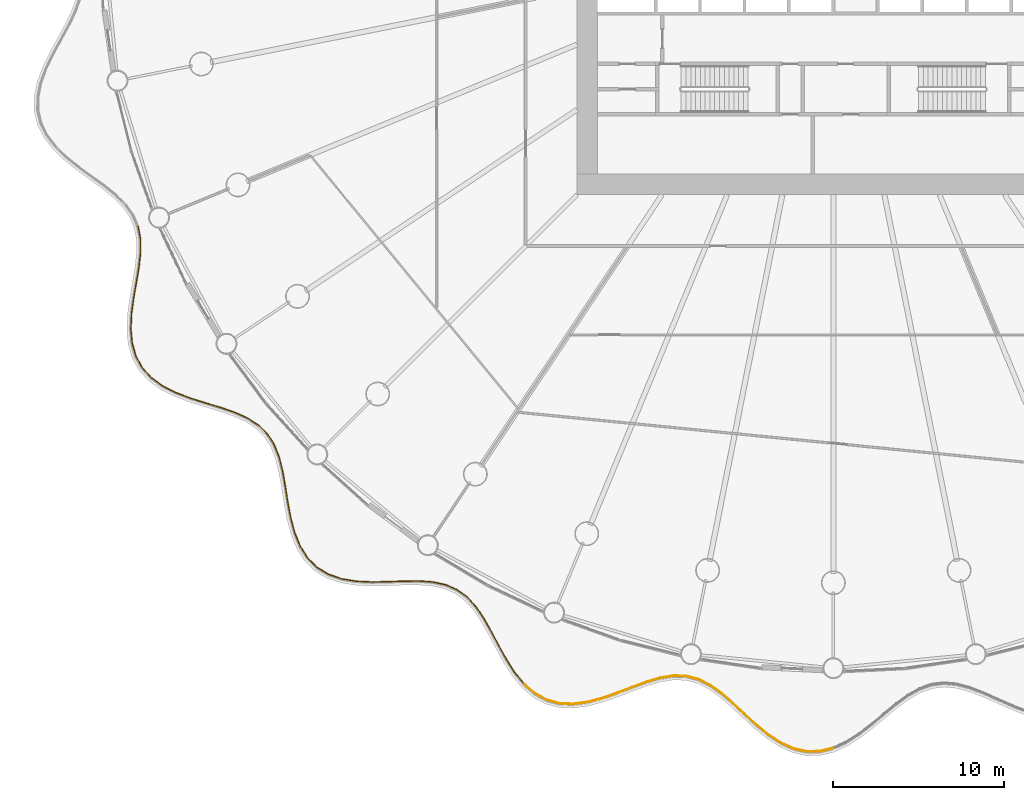
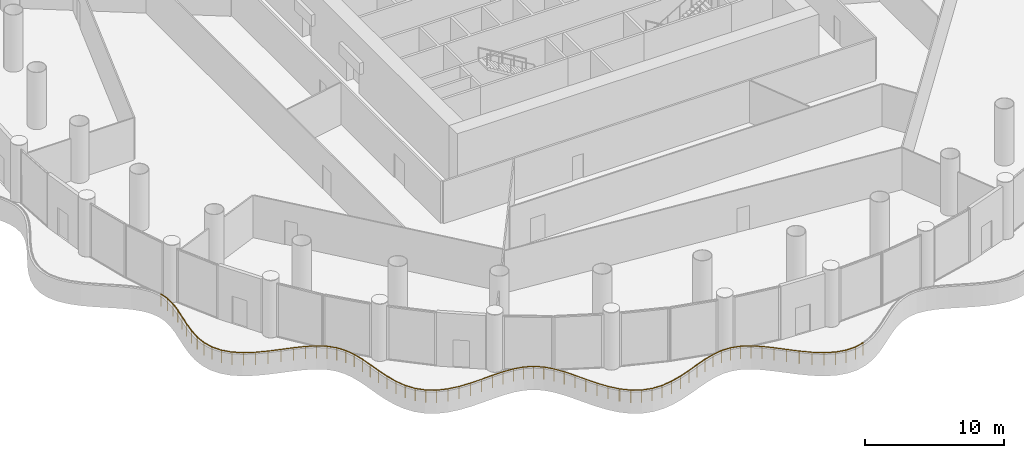
# One storey, part 31 of 38: 3 railings.
"""IFC4 building model written with IfcOpenShell, lengths in metres."""

from ifc_helpers import new_model, si_unit, direction, frame, origin, origin_2d, place, context, subcontext, project, spatial, circle, extrude, material, type_object, element, save


model = new_model("IFC4")

# Units and contexts
model_context = context("Model", 3, precision=1e-05, world=origin(), true_north=direction((0.0, 1.0)))
body_context = subcontext(model_context, "Body", "Model", "MODEL_VIEW")
ifc_project = project(units=[si_unit("LENGTHUNIT", "METRE"), si_unit("AREAUNIT", "SQUARE_METRE"), si_unit("VOLUMEUNIT", "CUBIC_METRE"), si_unit("PLANEANGLEUNIT", "RADIAN"), si_unit("MASSUNIT", "GRAM", prefix="KILO")], contexts=[model_context])

# Site, building, storey
site_placement = place(None, origin())
site = spatial("IfcSite", under=ifc_project, at=site_placement, CompositionType="ELEMENT")
building_placement = place(site_placement, origin())
building = spatial("IfcBuilding", under=site, at=building_placement, Name="Corvane Civic Tower", CompositionType="ELEMENT")
storey_placement = place(building_placement, frame((0.0, 0.0, 32.0)))
storey = spatial("IfcBuildingStorey", under=building, at=storey_placement, Name="L06", CompositionType="ELEMENT", Elevation=32.0)

# Railings
ifc_material = material(Name="Steel ASTM A572 Gr 50", Category="steel")
railing_type = type_object("IfcRailingType", Name="PODIUM-RL-GUARD-1100", PredefinedType="GUARDRAIL", material=ifc_material)
railing_1_placement = place(storey_placement, frame((-40.66943359375, -16.87255859375, 0.0)))
element("IfcRailing", 1, at=railing_1_placement, inside=storey, type_object=railing_type, Name="L06 ribbon guard 6", PredefinedType="GUARDRAIL", context=body_context, shape_type="SweptSolid", body=[
    extrude(circle(Radius=0.02392578125, at=origin_2d()), frame((0.0, 0.0, 1.076171875), z_axis=(0.184784369024, -0.982779088587, 0.0), x_axis=(0.982779088587, 0.184784369024, 0.0)), (0.0, 0.0, 1.0), 0.71337890625),
    extrude(circle(Radius=0.02392578125, at=origin_2d()), frame((0.1318359375, -0.701171875, 1.076171875), z_axis=(0.009576329479, -0.999954145906, 0.0), x_axis=(0.999954145906, 0.009576329479, 0.0)), (0.0, 0.0, 1.0), 0.790283203125),
    extrude(circle(Radius=0.02392578125, at=origin_2d()), frame((0.139404296875, -1.491455078125, 1.076171875), z_axis=(-0.107007929362, -0.994258167205, 0.0), x_axis=(0.994258167205, -0.107007929362, 0.0)), (0.0, 0.0, 1.0), 0.853271484375),
    extrude(circle(Radius=0.02392578125, at=origin_2d()), frame((0.048095703125, -2.33984375, 1.076171875), z_axis=(-0.164923362683, -0.98630638467, 0.0), x_axis=(0.98630638467, -0.164923362683, 0.0)), (0.0, 0.0, 1.0), 0.906005859375),
    extrude(circle(Radius=0.02392578125, at=origin_2d()), frame((-0.101318359375, -3.2333984375, 1.076171875), z_axis=(-0.17250097261, -0.985009347392, 0.0), x_axis=(0.985009347392, -0.17250097261, 0.0)), (0.0, 0.0, 1.0), 0.9326171875),
    extrude(circle(Radius=0.02392578125, at=origin_2d()), frame((-0.26220703125, -4.152099609375, 1.076171875), z_axis=(-0.133834148505, -0.991003744036, 0.0), x_axis=(0.991003744036, -0.133834148505, 0.0)), (0.0, 0.0, 1.0), 0.928466796875),
    extrude(circle(Radius=0.02392578125, at=origin_2d()), frame((-0.386474609375, -5.072265625, 1.076171875), z_axis=(-0.047668682951, -0.998863202178, 0.0), x_axis=(0.998863202178, -0.047668682951, 0.0)), (0.0, 0.0, 1.0), 0.896240234375),
    extrude(circle(Radius=0.02392578125, at=origin_2d()), frame((-0.42919921875, -5.967529296875, 1.076171875), z_axis=(0.089574843607, -0.995980093874, 0.0), x_axis=(0.995980093874, 0.089574843607, 0.0)), (0.0, 0.0, 1.0), 0.84765625),
    extrude(circle(Radius=0.02392578125, at=origin_2d()), frame((-0.353271484375, -6.811767578125, 1.076171875), z_axis=(0.275404329988, -0.961328484455, 0.0), x_axis=(0.961328484455, 0.275404329988, 0.0)), (0.0, 0.0, 1.0), 0.80224609375),
    extrude(circle(Radius=0.02392578125, at=origin_2d()), frame((-0.13232421875, -7.5830078125, 1.076171875), z_axis=(0.485882298795, -0.874024251218, 0.0), x_axis=(0.874024251218, 0.485882298795, 0.0)), (0.0, 0.0, 1.0), 0.779296875),
    extrude(circle(Radius=0.02392578125, at=origin_2d()), frame((0.246337890625, -8.26416015625, 1.076171875), z_axis=(0.676018384359, -0.73688475626, 0.0), x_axis=(0.73688475626, 0.676018384359, 0.0)), (0.0, 0.0, 1.0), 0.790283203125),
    extrude(circle(Radius=0.02392578125, at=origin_2d()), frame((0.780517578125, -8.846435546875, 1.076171875), z_axis=(0.812498858808, -0.582962781347, 0.0), x_axis=(0.582962781347, 0.812498858808, 0.0)), (0.0, 0.0, 1.0), 0.82958984375),
    extrude(circle(Radius=0.02392578125, at=origin_2d()), frame((1.45458984375, -9.330078125, 1.076171875), z_axis=(0.893704177194, -0.448656710266, 0.0), x_axis=(0.448656710266, 0.893704177194, 0.0)), (0.0, 0.0, 1.0), 0.87939453125),
    extrude(circle(Radius=0.02392578125, at=origin_2d()), frame((2.240478515625, -9.724609375, 1.076171875), z_axis=(0.93572746823, -0.352723837017, 0.0), x_axis=(0.352723837017, 0.93572746823, 0.0)), (0.0, 0.0, 1.0), 0.919189453125),
    extrude(circle(Radius=0.02392578125, at=origin_2d()), frame((3.1005859375, -10.048828125, 1.076171875), z_axis=(0.954098219534, -0.299493885551, 0.0), x_axis=(0.299493885551, 0.954098219534, 0.0)), (0.0, 0.0, 1.0), 0.93505859375),
    extrude(circle(Radius=0.02392578125, at=origin_2d()), frame((3.99267578125, -10.328857421875, 1.076171875), z_axis=(0.957010999793, -0.290051626915, 0.0), x_axis=(0.290051626915, 0.957010999793, 0.0)), (0.0, 0.0, 1.0), 0.919189453125),
    extrude(circle(Radius=0.02392578125, at=origin_2d()), frame((4.872314453125, -10.595458984375, 1.076171875), z_axis=(0.944936308827, -0.32725429296, 0.0), x_axis=(0.32725429296, 0.944936308827, 0.0)), (0.0, 0.0, 1.0), 0.875),
    extrude(circle(Radius=0.02392578125, at=origin_2d()), frame((5.69921875, -10.8818359375, 1.076171875), z_axis=(0.909934316687, -0.414752383134, 0.0), x_axis=(0.414752383134, 0.909934316687, 0.0)), (0.0, 0.0, 1.0), 0.8134765625),
    extrude(circle(Radius=0.02392578125, at=origin_2d()), frame((6.439453125, -11.21923828125, 1.076171875), z_axis=(0.834826447592, -0.550513217281, 0.0), x_axis=(0.550513217281, 0.834826447592, 0.0)), (0.0, 0.0, 1.0), 0.7548828125),
    extrude(circle(Radius=0.02392578125, at=origin_2d()), frame((7.069580078125, -11.634765625, 1.076171875), z_axis=(0.704058219448, -0.710142255909, 0.0), x_axis=(0.710142255909, 0.704058219448, 0.0)), (0.0, 0.0, 1.0), 0.722412109375),
    extrude(circle(Radius=0.02392578125, at=origin_2d()), frame((7.578125, -12.147705078125, 1.076171875), z_axis=(0.531378363688, -0.847134602412, 0.0), x_axis=(0.847134602412, 0.531378363688, 0.0)), (0.0, 0.0, 1.0), 0.7314453125),
    extrude(circle(Radius=0.02392578125, at=origin_2d()), frame((7.966796875, -12.767333984375, 1.076171875), z_axis=(0.364127112488, -0.931349260993, 0.0), x_axis=(0.931349260993, 0.364127112488, 0.0)), (0.0, 0.0, 1.0), 0.77783203125),
    extrude(circle(Radius=0.02392578125, at=origin_2d()), frame((8.25, -13.49169921875, 1.076171875), z_axis=(0.240552729044, -0.970636072145, 0.0), x_axis=(0.970636072145, 0.240552729044, 0.0)), (0.0, 0.0, 1.0), 0.84033203125),
    extrude(circle(Radius=0.02392578125, at=origin_2d()), frame((8.4521484375, -14.307373046875, 1.076171875), z_axis=(0.17197945119, -0.985100537188, 0.0), x_axis=(0.985100537188, 0.17197945119, 0.0)), (0.0, 0.0, 1.0), 0.87158203125),
    extrude(circle(Radius=0.02099609375, at=origin_2d()), origin(), (0.0, 0.0, 1.0), 1.052001953125),
    extrude(circle(Radius=0.02099609375, at=origin_2d()), frame((0.1318359375, -0.701171875, 0.0)), (0.0, 0.0, 1.0), 1.052001953125),
    extrude(circle(Radius=0.02099609375, at=origin_2d()), frame((0.139404296875, -1.491455078125, 0.0)), (0.0, 0.0, 1.0), 1.052001953125),
    extrude(circle(Radius=0.02099609375, at=origin_2d()), frame((0.048095703125, -2.33984375, 0.0)), (0.0, 0.0, 1.0), 1.052001953125),
    extrude(circle(Radius=0.02099609375, at=origin_2d()), frame((-0.101318359375, -3.2333984375, 0.0)), (0.0, 0.0, 1.0), 1.052001953125),
    extrude(circle(Radius=0.02099609375, at=origin_2d()), frame((-0.26220703125, -4.152099609375, 0.0)), (0.0, 0.0, 1.0), 1.052001953125),
    extrude(circle(Radius=0.02099609375, at=origin_2d()), frame((-0.386474609375, -5.072265625, 0.0)), (0.0, 0.0, 1.0), 1.052001953125),
    extrude(circle(Radius=0.02099609375, at=origin_2d()), frame((-0.42919921875, -5.967529296875, 0.0)), (0.0, 0.0, 1.0), 1.052001953125),
    extrude(circle(Radius=0.02099609375, at=origin_2d()), frame((-0.353271484375, -6.811767578125, 0.0)), (0.0, 0.0, 1.0), 1.052001953125),
    extrude(circle(Radius=0.02099609375, at=origin_2d()), frame((-0.13232421875, -7.5830078125, 0.0)), (0.0, 0.0, 1.0), 1.052001953125),
    extrude(circle(Radius=0.02099609375, at=origin_2d()), frame((0.246337890625, -8.26416015625, 0.0)), (0.0, 0.0, 1.0), 1.052001953125),
    extrude(circle(Radius=0.02099609375, at=origin_2d()), frame((0.780517578125, -8.846435546875, 0.0)), (0.0, 0.0, 1.0), 1.052001953125),
    extrude(circle(Radius=0.02099609375, at=origin_2d()), frame((1.45458984375, -9.330078125, 0.0)), (0.0, 0.0, 1.0), 1.052001953125),
    extrude(circle(Radius=0.02099609375, at=origin_2d()), frame((2.240478515625, -9.724609375, 0.0)), (0.0, 0.0, 1.0), 1.052001953125),
    extrude(circle(Radius=0.02099609375, at=origin_2d()), frame((3.1005859375, -10.048828125, 0.0)), (0.0, 0.0, 1.0), 1.052001953125),
    extrude(circle(Radius=0.02099609375, at=origin_2d()), frame((3.99267578125, -10.328857421875, 0.0)), (0.0, 0.0, 1.0), 1.052001953125),
    extrude(circle(Radius=0.02099609375, at=origin_2d()), frame((4.872314453125, -10.595458984375, 0.0)), (0.0, 0.0, 1.0), 1.052001953125),
    extrude(circle(Radius=0.02099609375, at=origin_2d()), frame((5.69921875, -10.8818359375, 0.0)), (0.0, 0.0, 1.0), 1.052001953125),
    extrude(circle(Radius=0.02099609375, at=origin_2d()), frame((6.439453125, -11.21923828125, 0.0)), (0.0, 0.0, 1.0), 1.052001953125),
    extrude(circle(Radius=0.02099609375, at=origin_2d()), frame((7.069580078125, -11.634765625, 0.0)), (0.0, 0.0, 1.0), 1.052001953125),
    extrude(circle(Radius=0.02099609375, at=origin_2d()), frame((7.578125, -12.147705078125, 0.0)), (0.0, 0.0, 1.0), 1.052001953125),
    extrude(circle(Radius=0.02099609375, at=origin_2d()), frame((7.966796875, -12.767333984375, 0.0)), (0.0, 0.0, 1.0), 1.052001953125),
    extrude(circle(Radius=0.02099609375, at=origin_2d()), frame((8.25, -13.49169921875, 0.0)), (0.0, 0.0, 1.0), 1.052001953125),
    extrude(circle(Radius=0.02099609375, at=origin_2d()), frame((8.4521484375, -14.307373046875, 0.0)), (0.0, 0.0, 1.0), 1.052001953125),
    extrude(circle(Radius=0.02099609375, at=origin_2d()), frame((8.60205078125, -15.166015625, 0.0)), (0.0, 0.0, 1.0), 1.052001953125),
])
railing_2_placement = place(storey_placement, frame((-32.059326171875, -32.087890625, 0.0)))
element("IfcRailing", 2, at=railing_2_placement, inside=storey, type_object=railing_type, Name="L06 ribbon guard 7", PredefinedType="GUARDRAIL", context=body_context, shape_type="SweptSolid", body=[
    extrude(circle(Radius=0.02392578125, at=origin_2d()), frame((0.0, 0.0, 1.076171875), z_axis=(0.154368647658, -0.988013320062, 0.0), x_axis=(0.988013320062, 0.154368647658, 0.0)), (0.0, 0.0, 1.0), 0.904541015625),
    extrude(circle(Radius=0.02392578125, at=origin_2d()), frame((0.1396484375, -0.893798828125, 1.076171875), z_axis=(0.183355365937, -0.983046697661, 0.0), x_axis=(0.983046697661, 0.183355365937, 0.0)), (0.0, 0.0, 1.0), 0.93212890625),
    extrude(circle(Radius=0.02392578125, at=origin_2d()), frame((0.310546875, -1.81005859375, 1.076171875), z_axis=(0.257746640802, -0.966212538293, 0.0), x_axis=(0.966212538293, 0.257746640802, 0.0)), (0.0, 0.0, 1.0), 0.904541015625),
    extrude(circle(Radius=0.02392578125, at=origin_2d()), frame((0.543701171875, -2.68408203125, 1.076171875), z_axis=(0.377558768502, -0.925985624255, 0.0), x_axis=(0.925985624255, 0.377558768502, 0.0)), (0.0, 0.0, 1.0), 0.858642578125),
    extrude(circle(Radius=0.02392578125, at=origin_2d()), frame((0.867919921875, -3.479248046875, 1.076171875), z_axis=(0.536212591881, -0.844082967669, 0.0), x_axis=(0.844082967669, 0.536212591881, 0.0)), (0.0, 0.0, 1.0), 0.810546875),
    extrude(circle(Radius=0.02392578125, at=origin_2d()), frame((1.302490234375, -4.163330078125, 1.076171875), z_axis=(0.708979075242, -0.705229516448, 0.0), x_axis=(0.705229516448, 0.708979075242, 0.0)), (0.0, 0.0, 1.0), 0.78125),
    extrude(circle(Radius=0.02392578125, at=origin_2d()), frame((1.8564453125, -4.71435546875, 1.076171875), z_axis=(0.854654494149, -0.519197164506, 0.0), x_axis=(0.519197164506, 0.854654494149, 0.0)), (0.0, 0.0, 1.0), 0.785400390625),
    extrude(circle(Radius=0.02392578125, at=origin_2d()), frame((2.527587890625, -5.1220703125, 1.076171875), z_axis=(0.945632221088, -0.32523791667, 0.0), x_axis=(0.32523791667, 0.945632221088, 0.0)), (0.0, 0.0, 1.0), 0.81982421875),
    extrude(circle(Radius=0.02392578125, at=origin_2d()), frame((3.302734375, -5.388671875, 1.076171875), z_axis=(0.986725999475, -0.16239397144, 0.0), x_axis=(0.16239397144, 0.986725999475, 0.0)), (0.0, 0.0, 1.0), 0.868896484375),
    extrude(circle(Radius=0.02392578125, at=origin_2d()), frame((4.16015625, -5.52978515625, 1.076171875), z_axis=(0.998865715566, -0.047615987512, 0.0), x_axis=(0.047615987512, 0.998865715566, 0.0)), (0.0, 0.0, 1.0), 0.91259765625),
    extrude(circle(Radius=0.02392578125, at=origin_2d()), frame((5.07177734375, -5.5732421875, 1.076171875), z_axis=(0.999827768885, 0.018558894534, 0.0), x_axis=(-0.018558894534, 0.999827768885, 0.0)), (0.0, 0.0, 1.0), 0.93408203125),
    extrude(circle(Radius=0.02392578125, at=origin_2d()), frame((6.005615234375, -5.555908203125, 1.076171875), z_axis=(0.999277839493, 0.037997361734, 0.0), x_axis=(-0.037997361734, 0.999277839493, 0.0)), (0.0, 0.0, 1.0), 0.92529296875),
    extrude(circle(Radius=0.02392578125, at=origin_2d()), frame((6.93017578125, -5.520751953125, 1.076171875), z_axis=(0.999950826658, 0.009916867702, 0.0), x_axis=(-0.009916867702, 0.999950826658, 0.0)), (0.0, 0.0, 1.0), 0.88623046875),
    extrude(circle(Radius=0.02392578125, at=origin_2d()), frame((7.81640625, -5.511962890625, 1.076171875), z_axis=(0.997401426671, -0.072044389612, 0.0), x_axis=(0.072044389612, 0.997401426671, 0.0)), (0.0, 0.0, 1.0), 0.826904296875),
    extrude(circle(Radius=0.02392578125, at=origin_2d()), frame((8.64111328125, -5.571533203125, 1.076171875), z_axis=(0.97699765227, -0.213250058522, 0.0), x_axis=(0.213250058522, 0.97699765227, 0.0)), (0.0, 0.0, 1.0), 0.765869140625),
    extrude(circle(Radius=0.02392578125, at=origin_2d()), frame((9.389404296875, -5.73486328125, 1.076171875), z_axis=(0.916126457216, -0.400889404186, 0.0), x_axis=(0.400889404186, 0.916126457216, 0.0)), (0.0, 0.0, 1.0), 0.725830078125),
    extrude(circle(Radius=0.02392578125, at=origin_2d()), frame((10.054443359375, -6.02587890625, 1.076171875), z_axis=(0.8052164335, -0.592981024336, 0.0), x_axis=(0.592981024336, 0.8052164335, 0.0)), (0.0, 0.0, 1.0), 0.725830078125),
    extrude(circle(Radius=0.02392578125, at=origin_2d()), frame((10.638916015625, -6.456298828125, 1.076171875), z_axis=(0.673164679365, -0.739492606086, 0.0), x_axis=(0.739492606086, 0.673164679365, 0.0)), (0.0, 0.0, 1.0), 0.765625),
    extrude(circle(Radius=0.02392578125, at=origin_2d()), frame((11.154296875, -7.0224609375, 1.076171875), z_axis=(0.561154876158, -0.827710822065, 0.0), x_axis=(0.827710822065, 0.561154876158, 0.0)), (0.0, 0.0, 1.0), 0.8271484375),
    extrude(circle(Radius=0.02392578125, at=origin_2d()), frame((11.618408203125, -7.70703125, 1.076171875), z_axis=(0.491385477891, -0.87094219792, 0.0), x_axis=(0.87094219792, 0.491385477891, 0.0)), (0.0, 0.0, 1.0), 0.886474609375),
    extrude(circle(Radius=0.02392578125, at=origin_2d()), frame((12.053955078125, -8.47900390625, 1.076171875), z_axis=(0.466638195595, -0.884448299457, 0.0), x_axis=(0.884448299457, 0.466638195595, 0.0)), (0.0, 0.0, 1.0), 0.925048828125),
    extrude(circle(Radius=0.02392578125, at=origin_2d()), frame((12.485595703125, -9.297119140625, 1.076171875), z_axis=(0.483733525846, -0.875215331203, 0.0), x_axis=(0.875215331203, 0.483733525846, 0.0)), (0.0, 0.0, 1.0), 0.93408203125),
    extrude(circle(Radius=0.02392578125, at=origin_2d()), frame((12.9375, -10.11474609375, 1.076171875), z_axis=(0.540730545669, -0.841195861248, 0.0), x_axis=(0.841195861248, 0.540730545669, 0.0)), (0.0, 0.0, 1.0), 0.91259765625),
    extrude(circle(Radius=0.02392578125, at=origin_2d()), frame((13.430908203125, -10.88232421875, 1.076171875), z_axis=(0.634134915588, -0.773222418733, 0.0), x_axis=(0.773222418733, 0.634134915588, 0.0)), (0.0, 0.0, 1.0), 0.84423828125),
    extrude(circle(Radius=0.02099609375, at=origin_2d()), origin(), (0.0, 0.0, 1.0), 1.052001953125),
    extrude(circle(Radius=0.02099609375, at=origin_2d()), frame((0.1396484375, -0.893798828125, 0.0)), (0.0, 0.0, 1.0), 1.052001953125),
    extrude(circle(Radius=0.02099609375, at=origin_2d()), frame((0.310546875, -1.81005859375, 0.0)), (0.0, 0.0, 1.0), 1.052001953125),
    extrude(circle(Radius=0.02099609375, at=origin_2d()), frame((0.543701171875, -2.68408203125, 0.0)), (0.0, 0.0, 1.0), 1.052001953125),
    extrude(circle(Radius=0.02099609375, at=origin_2d()), frame((0.867919921875, -3.479248046875, 0.0)), (0.0, 0.0, 1.0), 1.052001953125),
    extrude(circle(Radius=0.02099609375, at=origin_2d()), frame((1.302490234375, -4.163330078125, 0.0)), (0.0, 0.0, 1.0), 1.052001953125),
    extrude(circle(Radius=0.02099609375, at=origin_2d()), frame((1.8564453125, -4.71435546875, 0.0)), (0.0, 0.0, 1.0), 1.052001953125),
    extrude(circle(Radius=0.02099609375, at=origin_2d()), frame((2.527587890625, -5.1220703125, 0.0)), (0.0, 0.0, 1.0), 1.052001953125),
    extrude(circle(Radius=0.02099609375, at=origin_2d()), frame((3.302734375, -5.388671875, 0.0)), (0.0, 0.0, 1.0), 1.052001953125),
    extrude(circle(Radius=0.02099609375, at=origin_2d()), frame((4.16015625, -5.52978515625, 0.0)), (0.0, 0.0, 1.0), 1.052001953125),
    extrude(circle(Radius=0.02099609375, at=origin_2d()), frame((5.07177734375, -5.5732421875, 0.0)), (0.0, 0.0, 1.0), 1.052001953125),
    extrude(circle(Radius=0.02099609375, at=origin_2d()), frame((6.005615234375, -5.555908203125, 0.0)), (0.0, 0.0, 1.0), 1.052001953125),
    extrude(circle(Radius=0.02099609375, at=origin_2d()), frame((6.93017578125, -5.520751953125, 0.0)), (0.0, 0.0, 1.0), 1.052001953125),
    extrude(circle(Radius=0.02099609375, at=origin_2d()), frame((7.81640625, -5.511962890625, 0.0)), (0.0, 0.0, 1.0), 1.052001953125),
    extrude(circle(Radius=0.02099609375, at=origin_2d()), frame((8.64111328125, -5.571533203125, 0.0)), (0.0, 0.0, 1.0), 1.052001953125),
    extrude(circle(Radius=0.02099609375, at=origin_2d()), frame((9.389404296875, -5.73486328125, 0.0)), (0.0, 0.0, 1.0), 1.052001953125),
    extrude(circle(Radius=0.02099609375, at=origin_2d()), frame((10.054443359375, -6.02587890625, 0.0)), (0.0, 0.0, 1.0), 1.052001953125),
    extrude(circle(Radius=0.02099609375, at=origin_2d()), frame((10.638916015625, -6.456298828125, 0.0)), (0.0, 0.0, 1.0), 1.052001953125),
    extrude(circle(Radius=0.02099609375, at=origin_2d()), frame((11.154296875, -7.0224609375, 0.0)), (0.0, 0.0, 1.0), 1.052001953125),
    extrude(circle(Radius=0.02099609375, at=origin_2d()), frame((11.618408203125, -7.70703125, 0.0)), (0.0, 0.0, 1.0), 1.052001953125),
    extrude(circle(Radius=0.02099609375, at=origin_2d()), frame((12.053955078125, -8.47900390625, 0.0)), (0.0, 0.0, 1.0), 1.052001953125),
    extrude(circle(Radius=0.02099609375, at=origin_2d()), frame((12.485595703125, -9.297119140625, 0.0)), (0.0, 0.0, 1.0), 1.052001953125),
    extrude(circle(Radius=0.02099609375, at=origin_2d()), frame((12.9375, -10.11474609375, 0.0)), (0.0, 0.0, 1.0), 1.052001953125),
    extrude(circle(Radius=0.02099609375, at=origin_2d()), frame((13.430908203125, -10.88232421875, 0.0)), (0.0, 0.0, 1.0), 1.052001953125),
    extrude(circle(Radius=0.02099609375, at=origin_2d()), frame((13.96630859375, -11.53515625, 0.0)), (0.0, 0.0, 1.0), 1.052001953125),
])
railing_3_placement = place(storey_placement, frame((-18.058349609375, -43.65869140625, 0.0)))
element("IfcRailing", 3, at=railing_3_placement, inside=storey, type_object=railing_type, Name="L06 ribbon guard 8", PredefinedType="GUARDRAIL", context=body_context, shape_type="SweptSolid", body=[
    extrude(circle(Radius=0.02392578125, at=origin_2d()), frame((0.0, 0.0, 1.076171875), z_axis=(0.754552606339, -0.656239563168, 0.0), x_axis=(0.656239563168, 0.754552606339, 0.0)), (0.0, 0.0, 1.0), 0.794677734375),
    extrude(circle(Radius=0.02392578125, at=origin_2d()), frame((0.599609375, -0.521484375, 1.076171875), z_axis=(0.876871606406, -0.480724646632, 0.0), x_axis=(0.480724646632, 0.876871606406, 0.0)), (0.0, 0.0, 1.0), 0.78515625),
    extrude(circle(Radius=0.02392578125, at=origin_2d()), frame((1.2880859375, -0.89892578125, 1.076171875), z_axis=(0.9652739935, -0.261239578688, 0.0), x_axis=(0.261239578688, 0.9652739935, 0.0)), (0.0, 0.0, 1.0), 0.78125),
    extrude(circle(Radius=0.02392578125, at=origin_2d()), frame((2.042236328125, -1.10302734375, 1.076171875), z_axis=(0.99909774518, -0.042469937314, 0.0), x_axis=(0.042469937314, 0.99909774518, 0.0)), (0.0, 0.0, 1.0), 0.810546875),
    extrude(circle(Radius=0.02392578125, at=origin_2d()), frame((2.85205078125, -1.137451171875, 1.076171875), z_axis=(0.990719089556, 0.135925294147, 0.0), x_axis=(-0.135925294147, 0.990719089556, 0.0)), (0.0, 0.0, 1.0), 0.858642578125),
    extrude(circle(Radius=0.02392578125, at=origin_2d()), frame((3.70263671875, -1.020751953125, 1.076171875), z_axis=(0.965587098839, 0.26007990033, 0.0), x_axis=(-0.26007990033, 0.965587098839, 0.0)), (0.0, 0.0, 1.0), 0.905029296875),
    extrude(circle(Radius=0.02392578125, at=origin_2d()), frame((4.576416015625, -0.785400390625, 1.076171875), z_axis=(0.943009681152, 0.332765294544, 0.0), x_axis=(-0.332765294544, 0.943009681152, 0.0)), (0.0, 0.0, 1.0), 0.931884765625),
    extrude(circle(Radius=0.02392578125, at=origin_2d()), frame((5.455078125, -0.475341796875, 1.076171875), z_axis=(0.932864318384, 0.360227932683, 0.0), x_axis=(-0.360227932683, 0.932864318384, 0.0)), (0.0, 0.0, 1.0), 0.929931640625),
    extrude(circle(Radius=0.02392578125, at=origin_2d()), frame((6.322509765625, -0.140380859375, 1.076171875), z_axis=(0.939107851314, 0.343622530693, 0.0), x_axis=(-0.343622530693, 0.939107851314, 0.0)), (0.0, 0.0, 1.0), 0.896728515625),
    extrude(circle(Radius=0.02392578125, at=origin_2d()), frame((7.16455078125, 0.167724609375, 1.076171875), z_axis=(0.96089647184, 0.2769078735, 0.0), x_axis=(-0.2769078735, 0.96089647184, 0.0)), (0.0, 0.0, 1.0), 0.84033203125),
    extrude(circle(Radius=0.02392578125, at=origin_2d()), frame((7.971923828125, 0.400390625, 1.076171875), z_axis=(0.988581250341, 0.150688790144, 0.0), x_axis=(-0.150688790144, 0.988581250341, 0.0)), (0.0, 0.0, 1.0), 0.777587890625),
    extrude(circle(Radius=0.02392578125, at=origin_2d()), frame((8.74072265625, 0.517578125, 1.076171875), z_axis=(0.999313461415, -0.037048695463, 0.0), x_axis=(0.037048695463, 0.999313461415, 0.0)), (0.0, 0.0, 1.0), 0.7314453125),
    extrude(circle(Radius=0.02392578125, at=origin_2d()), frame((9.4716796875, 0.490478515625, 1.076171875), z_axis=(0.967065779781, -0.254526575384, 0.0), x_axis=(0.254526575384, 0.967065779781, 0.0)), (0.0, 0.0, 1.0), 0.72216796875),
    extrude(circle(Radius=0.02392578125, at=origin_2d()), frame((10.170166015625, 0.306640625, 1.076171875), z_axis=(0.894233059846, -0.447601647315, 0.0), x_axis=(0.447601647315, 0.894233059846, 0.0)), (0.0, 0.0, 1.0), 0.7548828125),
    extrude(circle(Radius=0.02392578125, at=origin_2d()), frame((10.84521484375, -0.03125, 1.076171875), z_axis=(0.814138797506, -0.580670318162, 0.0), x_axis=(0.580670318162, 0.814138797506, 0.0)), (0.0, 0.0, 1.0), 0.8134765625),
    extrude(circle(Radius=0.02392578125, at=origin_2d()), frame((11.507568359375, -0.503662109375, 1.076171875), z_axis=(0.755937620753, -0.654643653853, 0.0), x_axis=(0.654643653853, 0.755937620753, 0.0)), (0.0, 0.0, 1.0), 0.875),
    extrude(circle(Radius=0.02392578125, at=origin_2d()), frame((12.1689453125, -1.076416015625, 1.076171875), z_axis=(0.729578615129, -0.68389695448, 0.0), x_axis=(0.68389695448, 0.729578615129, 0.0)), (0.0, 0.0, 1.0), 0.919189453125),
    extrude(circle(Radius=0.02392578125, at=origin_2d()), frame((12.839599609375, -1.705078125, 1.076171875), z_axis=(0.736503334058, -0.676433913195, 0.0), x_axis=(0.676433913195, 0.736503334058, 0.0)), (0.0, 0.0, 1.0), 0.934814453125),
    extrude(circle(Radius=0.02392578125, at=origin_2d()), frame((13.528076171875, -2.33740234375, 1.076171875), z_axis=(0.77324695858, -0.634104992132, 0.0), x_axis=(0.634104992132, 0.77324695858, 0.0)), (0.0, 0.0, 1.0), 0.91943359375),
    extrude(circle(Radius=0.02392578125, at=origin_2d()), frame((14.239013671875, -2.92041015625, 1.076171875), z_axis=(0.835494240479, -0.549499203027, 0.0), x_axis=(0.549499203027, 0.835494240479, 0.0)), (0.0, 0.0, 1.0), 0.879150390625),
    extrude(circle(Radius=0.02392578125, at=origin_2d()), frame((14.9736328125, -3.403564453125, 1.076171875), z_axis=(0.91106055663, -0.412272558088, 0.0), x_axis=(0.412272558088, 0.91106055663, 0.0)), (0.0, 0.0, 1.0), 0.82958984375),
    extrude(circle(Radius=0.02392578125, at=origin_2d()), frame((15.7294921875, -3.74560546875, 1.076171875), z_axis=(0.976136155054, -0.217159404115, 0.0), x_axis=(0.217159404115, 0.976136155054, 0.0)), (0.0, 0.0, 1.0), 0.790283203125),
    extrude(circle(Radius=0.02392578125, at=origin_2d()), frame((16.5009765625, -3.917236328125, 1.076171875), z_axis=(0.999862095547, 0.016606922928, 0.0), x_axis=(-0.016606922928, 0.999862095547, 0.0)), (0.0, 0.0, 1.0), 0.779052734375),
    extrude(circle(Radius=0.02392578125, at=origin_2d()), frame((17.280029296875, -3.904296875, 1.076171875), z_axis=(0.970290184858, 0.241944119929, 0.0), x_axis=(-0.241944119929, 0.970290184858, 0.0)), (0.0, 0.0, 1.0), 0.777099609375),
    extrude(circle(Radius=0.02099609375, at=origin_2d()), origin(), (0.0, 0.0, 1.0), 1.052001953125),
    extrude(circle(Radius=0.02099609375, at=origin_2d()), frame((0.599609375, -0.521484375, 0.0)), (0.0, 0.0, 1.0), 1.052001953125),
    extrude(circle(Radius=0.02099609375, at=origin_2d()), frame((1.2880859375, -0.89892578125, 0.0)), (0.0, 0.0, 1.0), 1.052001953125),
    extrude(circle(Radius=0.02099609375, at=origin_2d()), frame((2.042236328125, -1.10302734375, 0.0)), (0.0, 0.0, 1.0), 1.052001953125),
    extrude(circle(Radius=0.02099609375, at=origin_2d()), frame((2.85205078125, -1.137451171875, 0.0)), (0.0, 0.0, 1.0), 1.052001953125),
    extrude(circle(Radius=0.02099609375, at=origin_2d()), frame((3.70263671875, -1.020751953125, 0.0)), (0.0, 0.0, 1.0), 1.052001953125),
    extrude(circle(Radius=0.02099609375, at=origin_2d()), frame((4.576416015625, -0.785400390625, 0.0)), (0.0, 0.0, 1.0), 1.052001953125),
    extrude(circle(Radius=0.02099609375, at=origin_2d()), frame((5.455078125, -0.475341796875, 0.0)), (0.0, 0.0, 1.0), 1.052001953125),
    extrude(circle(Radius=0.02099609375, at=origin_2d()), frame((6.322509765625, -0.140380859375, 0.0)), (0.0, 0.0, 1.0), 1.052001953125),
    extrude(circle(Radius=0.02099609375, at=origin_2d()), frame((7.16455078125, 0.167724609375, 0.0)), (0.0, 0.0, 1.0), 1.052001953125),
    extrude(circle(Radius=0.02099609375, at=origin_2d()), frame((7.971923828125, 0.400390625, 0.0)), (0.0, 0.0, 1.0), 1.052001953125),
    extrude(circle(Radius=0.02099609375, at=origin_2d()), frame((8.74072265625, 0.517578125, 0.0)), (0.0, 0.0, 1.0), 1.052001953125),
    extrude(circle(Radius=0.02099609375, at=origin_2d()), frame((9.4716796875, 0.490478515625, 0.0)), (0.0, 0.0, 1.0), 1.052001953125),
    extrude(circle(Radius=0.02099609375, at=origin_2d()), frame((10.170166015625, 0.306640625, 0.0)), (0.0, 0.0, 1.0), 1.052001953125),
    extrude(circle(Radius=0.02099609375, at=origin_2d()), frame((10.84521484375, -0.03125, 0.0)), (0.0, 0.0, 1.0), 1.052001953125),
    extrude(circle(Radius=0.02099609375, at=origin_2d()), frame((11.507568359375, -0.503662109375, 0.0)), (0.0, 0.0, 1.0), 1.052001953125),
    extrude(circle(Radius=0.02099609375, at=origin_2d()), frame((12.1689453125, -1.076416015625, 0.0)), (0.0, 0.0, 1.0), 1.052001953125),
    extrude(circle(Radius=0.02099609375, at=origin_2d()), frame((12.839599609375, -1.705078125, 0.0)), (0.0, 0.0, 1.0), 1.052001953125),
    extrude(circle(Radius=0.02099609375, at=origin_2d()), frame((13.528076171875, -2.33740234375, 0.0)), (0.0, 0.0, 1.0), 1.052001953125),
    extrude(circle(Radius=0.02099609375, at=origin_2d()), frame((14.239013671875, -2.92041015625, 0.0)), (0.0, 0.0, 1.0), 1.052001953125),
    extrude(circle(Radius=0.02099609375, at=origin_2d()), frame((14.9736328125, -3.403564453125, 0.0)), (0.0, 0.0, 1.0), 1.052001953125),
    extrude(circle(Radius=0.02099609375, at=origin_2d()), frame((15.7294921875, -3.74560546875, 0.0)), (0.0, 0.0, 1.0), 1.052001953125),
    extrude(circle(Radius=0.02099609375, at=origin_2d()), frame((16.5009765625, -3.917236328125, 0.0)), (0.0, 0.0, 1.0), 1.052001953125),
    extrude(circle(Radius=0.02099609375, at=origin_2d()), frame((17.280029296875, -3.904296875, 0.0)), (0.0, 0.0, 1.0), 1.052001953125),
    extrude(circle(Radius=0.02099609375, at=origin_2d()), frame((18.033935546875, -3.71630859375, 0.0)), (0.0, 0.0, 1.0), 1.052001953125),
])

save(model, "model.ifc")
